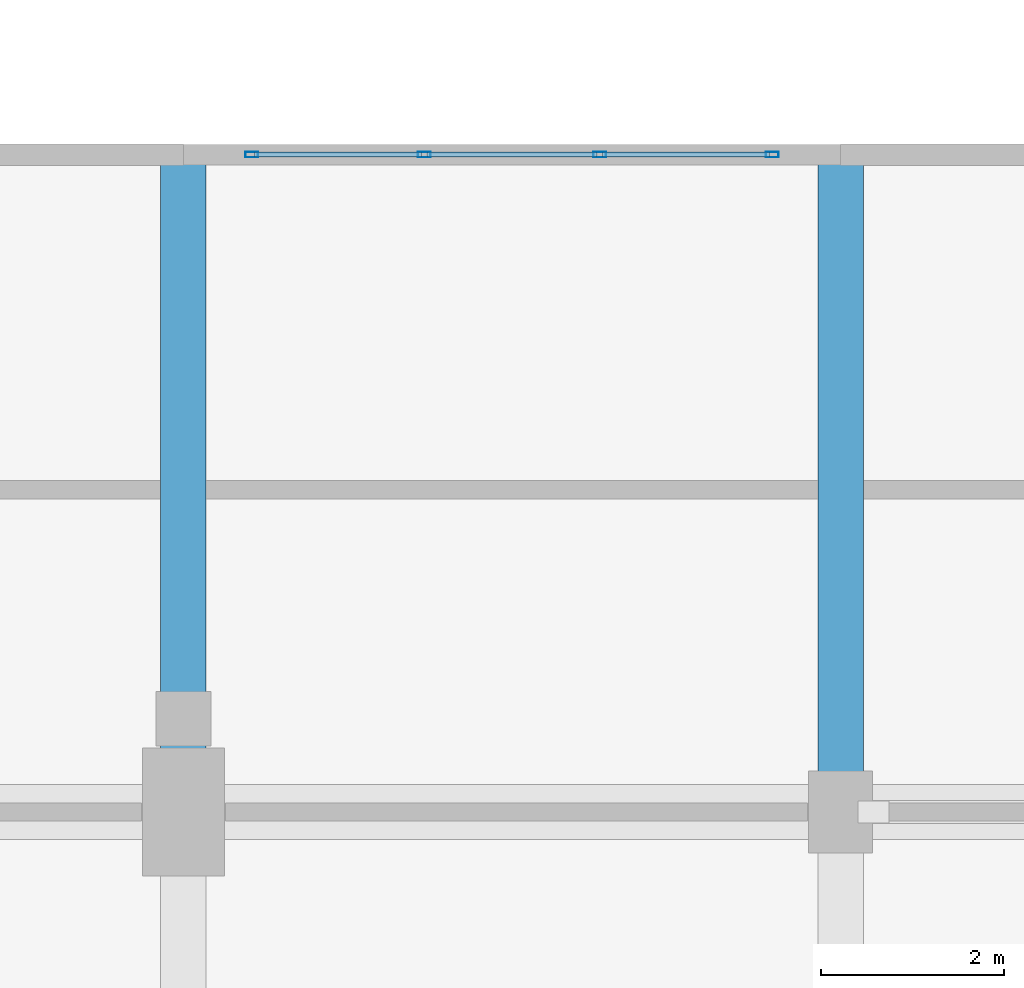
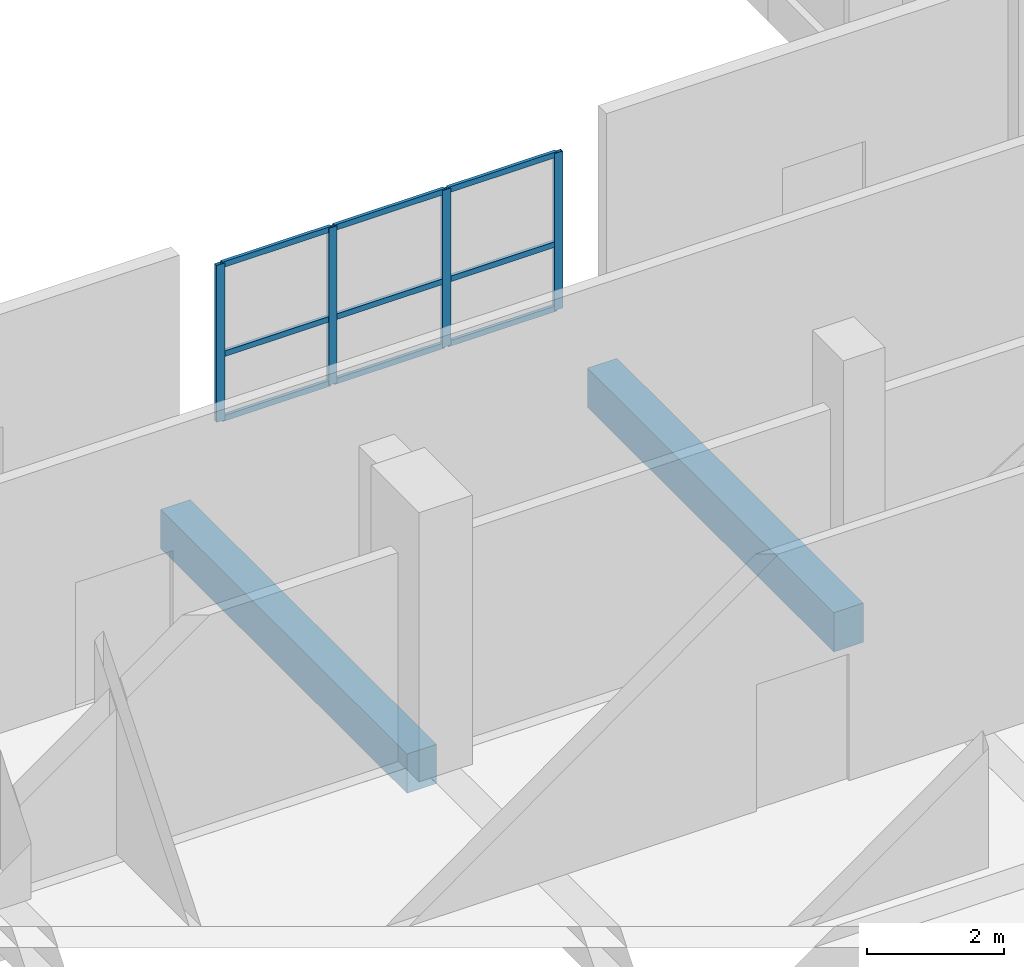
# One storey, part 98 of 181: 13 members, 2 beams, 1 element without a shape of its own.
"""IFC4 building model written with IfcOpenShell, lengths in metres."""

from ifc_helpers import new_model, si_unit, direction, frame, origin, origin_2d, place, context, subcontext, project, spatial, rectangle, hollow_rectangle, extrude, material, layer, layer_set, material_profile, profile_set, type_object, element, aggregate, save


model = new_model("IFC4")

# Units and contexts
model_context = context("Model", 3, precision=1e-05, world=origin(), true_north=direction((0.0, 1.0)))
body_context = subcontext(model_context, "Body", "Model", "MODEL_VIEW")
ifc_project = project(units=[si_unit("LENGTHUNIT", "METRE"), si_unit("AREAUNIT", "SQUARE_METRE"), si_unit("VOLUMEUNIT", "CUBIC_METRE"), si_unit("PLANEANGLEUNIT", "RADIAN"), si_unit("MASSUNIT", "GRAM", prefix="KILO")], contexts=[model_context])

# Site, building, storey
site_placement = place(None, origin())
site = spatial("IfcSite", under=ifc_project, at=site_placement, CompositionType="ELEMENT")
building_placement = place(site_placement, origin())
building = spatial("IfcBuilding", under=site, at=building_placement, Name="Seraya Terrace Polytechnic", CompositionType="ELEMENT")
storey_placement = place(building_placement, frame((0.0, 0.0, 4.800048828125)))
storey = spatial("IfcBuildingStorey", under=building, at=storey_placement, Name="L01", CompositionType="ELEMENT", Elevation=4.800048828125)

# Beams
ifc_material_1 = material(Name="Concrete C40/50", Category="concrete")
ifc_material_profile_1 = material_profile(ifc_material_1, rectangle(XDim=0.5, YDim=0.699951171875, at=origin_2d()), Name="RC 500x700")
ifc_profile_set_1 = profile_set([ifc_material_profile_1], Name="Concrete C40/50")
beam_type = type_object("IfcBeamType", Name="BM-07", PredefinedType="BEAM", material=ifc_profile_set_1)
for number, where, z_axis, x_axis, name in (
    (1, (100.800048828125, 79.199951171875, -0.35009765625), (0.0, 1.0, 0.0), (-1.0, 0.0, 0.0), "Beam BM-07 L01 Y (100.8, 79.2..86.4)"),
    (2, (108.0, 79.199951171875, -0.35009765625), (0.0, 1.0, 0.0), (-1.0, 0.0, 0.0), "Beam BM-07 L01 Y (108.0, 79.2..86.4)"),
):
    element("IfcBeam", number, at=place(storey_placement, frame(where, z_axis=z_axis, x_axis=x_axis)), inside=storey, type_object=beam_type, Name=name, PredefinedType="BEAM", context=body_context, shape_type="SweptSolid", body=[
        extrude(rectangle(XDim=0.5, YDim=0.699951171875, at=origin_2d()), origin(), (0.0, 0.0, 1.0), 7.199951171875),
    ])

# Curtain wall, members
ifc_material_2 = material(Name="Anodised aluminium EN AW-6063 T6", Category="aluminium")
ifc_layer = layer(ifc_material_2, 0.179931640625, Name="CW-15")
ifc_layer_set = layer_set([ifc_layer], Name="Anodised aluminium EN AW-6063 T6")
curtain_wall_type = type_object("IfcCurtainWallType", Name="CW-15", PredefinedType="NOTDEFINED", material=ifc_layer_set)
curtain_wall_placement = place(storey_placement, origin())
curtain_wall = element("IfcCurtainWall", 3, at=curtain_wall_placement, inside=storey, type_object=curtain_wall_type, Name="Unitised curtain wall CW-15 (CW-L01-015)", PredefinedType="NOTDEFINED")
ifc_material_profile_2 = material_profile(ifc_material_2, hollow_rectangle(XDim=0.06005859375, YDim=0.139892578125, WallThickness=0.00341796875, at=origin_2d()), Name="RHS 140x60x3.5")
ifc_profile_set_2 = profile_set([ifc_material_profile_2], Name="Anodised aluminium EN AW-6063 T6")
member_type_1 = type_object("IfcMemberType", Name="CWM-03", PredefinedType="MULLION", material=ifc_profile_set_2)
member_1_placement = place(storey_placement, frame((101.550048828125, 86.39990234375, 1.239990234375), z_axis=(0.0, 0.0, 1.0), x_axis=(0.0, 1.0, 0.0)))
member_1 = element("IfcMember", 4, at=member_1_placement, type_object=member_type_1, Name="CW-15 mullion 1", PredefinedType="MULLION", context=body_context, shape_type="SweptSolid", body=[
    extrude(hollow_rectangle(XDim=0.06005859375, YDim=0.139892578125, WallThickness=0.00341796875, at=origin_2d()), origin(), (0.0, 0.0, 1.0), 2.800048828125),
])
member_2_placement = place(storey_placement, frame((103.43994140625, 86.39990234375, 1.239990234375), z_axis=(0.0, 0.0, 1.0), x_axis=(0.0, 1.0, 0.0)))
member_2 = element("IfcMember", 5, at=member_2_placement, type_object=member_type_1, Name="CW-15 mullion 2", PredefinedType="MULLION", context=body_context, shape_type="SweptSolid", body=[
    extrude(hollow_rectangle(XDim=0.06005859375, YDim=0.139892578125, WallThickness=0.00341796875, at=origin_2d()), origin(), (0.0, 0.0, 1.0), 2.800048828125),
])
member_3_placement = place(storey_placement, frame((105.360107421875, 86.39990234375, 1.239990234375), z_axis=(0.0, 0.0, 1.0), x_axis=(0.0, 1.0, 0.0)))
member_3 = element("IfcMember", 6, at=member_3_placement, type_object=member_type_1, Name="CW-15 mullion 3", PredefinedType="MULLION", context=body_context, shape_type="SweptSolid", body=[
    extrude(hollow_rectangle(XDim=0.06005859375, YDim=0.139892578125, WallThickness=0.00341796875, at=origin_2d()), origin(), (0.0, 0.0, 1.0), 2.800048828125),
])
member_4_placement = place(storey_placement, frame((107.25, 86.39990234375, 1.239990234375), z_axis=(0.0, 0.0, 1.0), x_axis=(0.0, 1.0, 0.0)))
member_4 = element("IfcMember", 7, at=member_4_placement, type_object=member_type_1, Name="CW-15 mullion 4", PredefinedType="MULLION", context=body_context, shape_type="SweptSolid", body=[
    extrude(hollow_rectangle(XDim=0.06005859375, YDim=0.139892578125, WallThickness=0.00341796875, at=origin_2d()), origin(), (0.0, 0.0, 1.0), 2.800048828125),
])
ifc_material_profile_3 = material_profile(ifc_material_2, hollow_rectangle(XDim=0.054931640625, YDim=0.10009765625, WallThickness=0.0029296875, at=origin_2d()), Name="RHS 100x55x3.0")
ifc_profile_set_3 = profile_set([ifc_material_profile_3], Name="Anodised aluminium EN AW-6063 T6")
member_type_2 = type_object("IfcMemberType", Name="CWT-03", PredefinedType="USERDEFINED", material=ifc_profile_set_3)
member_5_placement = place(storey_placement, frame((101.580078125, 86.39990234375, 1.267333984375), z_axis=(1.0, 0.0, 0.0), x_axis=(0.0, 1.0, 0.0)))
member_5 = element("IfcMember", 8, at=member_5_placement, type_object=member_type_2, Name="CW-15 transom 1.1", ObjectType="TRANSOM", PredefinedType="USERDEFINED", context=body_context, shape_type="SweptSolid", body=[
    extrude(hollow_rectangle(XDim=0.054931640625, YDim=0.10009765625, WallThickness=0.0029296875, at=origin_2d()), origin(), (0.0, 0.0, 1.0), 1.829833984375),
])
member_6_placement = place(storey_placement, frame((101.580078125, 86.39990234375, 2.416015625), z_axis=(1.0, 0.0, 0.0), x_axis=(0.0, 1.0, 0.0)))
member_6 = element("IfcMember", 9, at=member_6_placement, type_object=member_type_2, Name="CW-15 transom 1.2", ObjectType="TRANSOM", PredefinedType="USERDEFINED", context=body_context, shape_type="SweptSolid", body=[
    extrude(hollow_rectangle(XDim=0.054931640625, YDim=0.10009765625, WallThickness=0.0029296875, at=origin_2d()), origin(), (0.0, 0.0, 1.0), 1.829833984375),
])
member_7_placement = place(storey_placement, frame((101.580078125, 86.39990234375, 4.012451171875), z_axis=(1.0, 0.0, 0.0), x_axis=(0.0, 1.0, 0.0)))
member_7 = element("IfcMember", 10, at=member_7_placement, type_object=member_type_2, Name="CW-15 transom 1.3", ObjectType="TRANSOM", PredefinedType="USERDEFINED", context=body_context, shape_type="SweptSolid", body=[
    extrude(hollow_rectangle(XDim=0.054931640625, YDim=0.10009765625, WallThickness=0.0029296875, at=origin_2d()), origin(), (0.0, 0.0, 1.0), 1.829833984375),
])
member_8_placement = place(storey_placement, frame((103.469970703125, 86.39990234375, 1.267333984375), z_axis=(1.0, 0.0, 0.0), x_axis=(0.0, 1.0, 0.0)))
member_8 = element("IfcMember", 11, at=member_8_placement, type_object=member_type_2, Name="CW-15 transom 2.1", ObjectType="TRANSOM", PredefinedType="USERDEFINED", context=body_context, shape_type="SweptSolid", body=[
    extrude(hollow_rectangle(XDim=0.054931640625, YDim=0.10009765625, WallThickness=0.0029296875, at=origin_2d()), origin(), (0.0, 0.0, 1.0), 1.860107421875),
])
member_9_placement = place(storey_placement, frame((103.469970703125, 86.39990234375, 2.416015625), z_axis=(1.0, 0.0, 0.0), x_axis=(0.0, 1.0, 0.0)))
member_9 = element("IfcMember", 12, at=member_9_placement, type_object=member_type_2, Name="CW-15 transom 2.2", ObjectType="TRANSOM", PredefinedType="USERDEFINED", context=body_context, shape_type="SweptSolid", body=[
    extrude(hollow_rectangle(XDim=0.054931640625, YDim=0.10009765625, WallThickness=0.0029296875, at=origin_2d()), origin(), (0.0, 0.0, 1.0), 1.860107421875),
])
member_10_placement = place(storey_placement, frame((103.469970703125, 86.39990234375, 4.012451171875), z_axis=(1.0, 0.0, 0.0), x_axis=(0.0, 1.0, 0.0)))
member_10 = element("IfcMember", 13, at=member_10_placement, type_object=member_type_2, Name="CW-15 transom 2.3", ObjectType="TRANSOM", PredefinedType="USERDEFINED", context=body_context, shape_type="SweptSolid", body=[
    extrude(hollow_rectangle(XDim=0.054931640625, YDim=0.10009765625, WallThickness=0.0029296875, at=origin_2d()), origin(), (0.0, 0.0, 1.0), 1.860107421875),
])
member_11_placement = place(storey_placement, frame((105.389892578125, 86.39990234375, 1.267333984375), z_axis=(1.0, 0.0, 0.0), x_axis=(0.0, 1.0, 0.0)))
member_11 = element("IfcMember", 14, at=member_11_placement, type_object=member_type_2, Name="CW-15 transom 3.1", ObjectType="TRANSOM", PredefinedType="USERDEFINED", context=body_context, shape_type="SweptSolid", body=[
    extrude(hollow_rectangle(XDim=0.054931640625, YDim=0.10009765625, WallThickness=0.0029296875, at=origin_2d()), origin(), (0.0, 0.0, 1.0), 1.830078125),
])
member_12_placement = place(storey_placement, frame((105.389892578125, 86.39990234375, 2.416015625), z_axis=(1.0, 0.0, 0.0), x_axis=(0.0, 1.0, 0.0)))
member_12 = element("IfcMember", 15, at=member_12_placement, type_object=member_type_2, Name="CW-15 transom 3.2", ObjectType="TRANSOM", PredefinedType="USERDEFINED", context=body_context, shape_type="SweptSolid", body=[
    extrude(hollow_rectangle(XDim=0.054931640625, YDim=0.10009765625, WallThickness=0.0029296875, at=origin_2d()), origin(), (0.0, 0.0, 1.0), 1.830078125),
])
member_13_placement = place(storey_placement, frame((105.389892578125, 86.39990234375, 4.012451171875), z_axis=(1.0, 0.0, 0.0), x_axis=(0.0, 1.0, 0.0)))
member_13 = element("IfcMember", 16, at=member_13_placement, type_object=member_type_2, Name="CW-15 transom 3.3", ObjectType="TRANSOM", PredefinedType="USERDEFINED", context=body_context, shape_type="SweptSolid", body=[
    extrude(hollow_rectangle(XDim=0.054931640625, YDim=0.10009765625, WallThickness=0.0029296875, at=origin_2d()), origin(), (0.0, 0.0, 1.0), 1.830078125),
])
aggregate(curtain_wall, [member_1, member_2, member_3, member_4, member_5, member_6, member_7, member_8, member_9, member_10, member_11, member_12, member_13])

save(model, "model.ifc")
